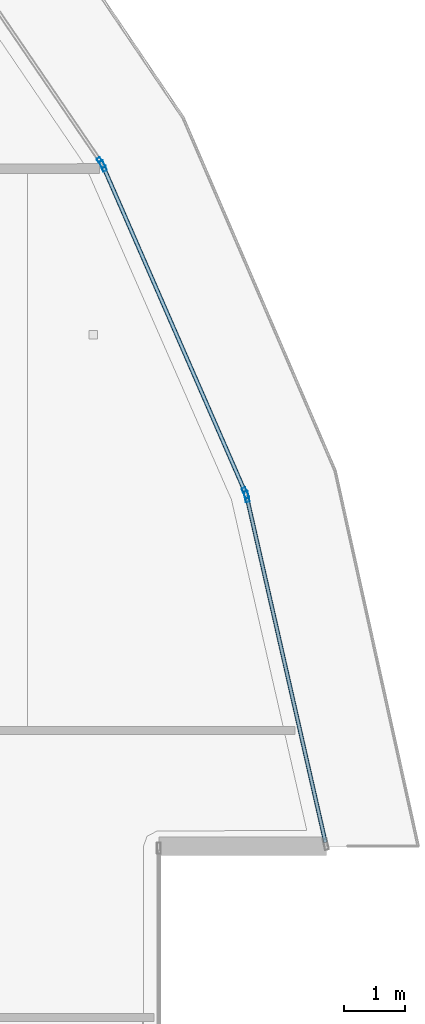
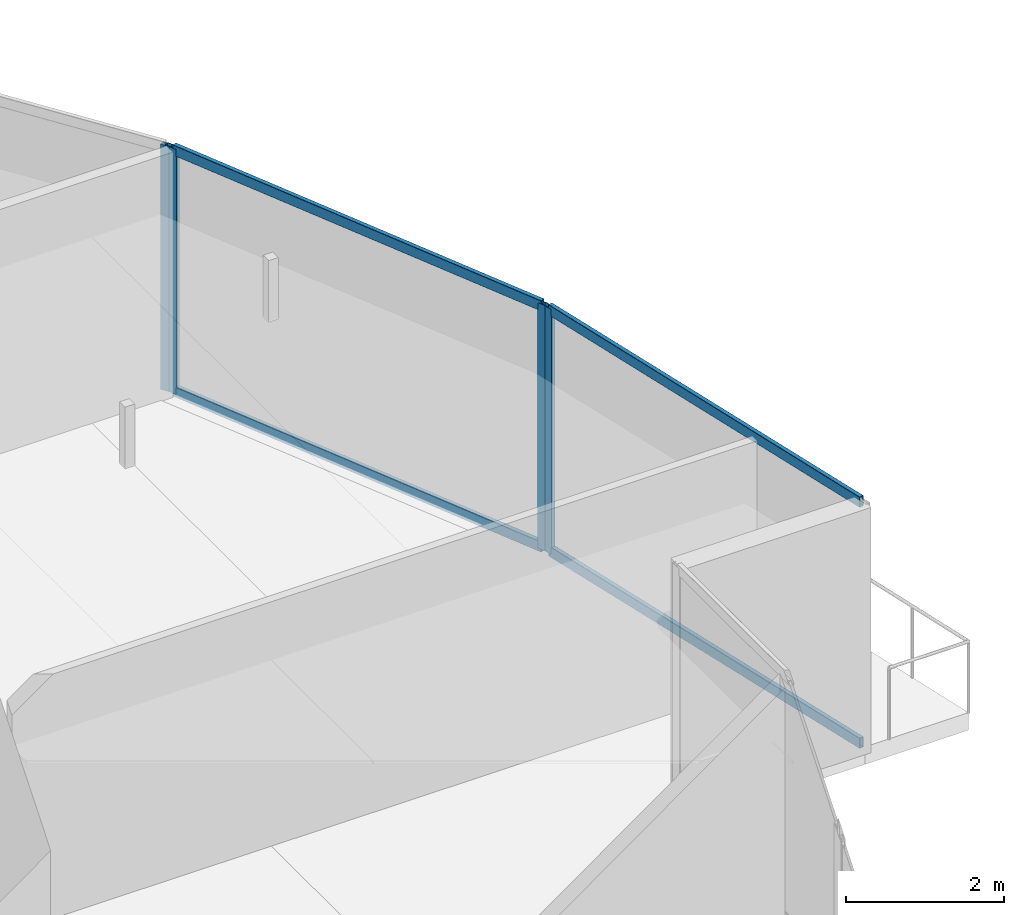
# One storey, part 19 of 33: 8 members, 3 elements without a shape of their own.
"""IFC4 building model written with IfcOpenShell, lengths in metres."""

from ifc_helpers import new_model, si_unit, direction, frame, origin, origin_2d, place, context, subcontext, project, spatial, hollow_rectangle, extrude, material, layer, layer_set, material_profile, profile_set, type_object, element, aggregate, save


model = new_model("IFC4")

# Units and contexts
model_context = context("Model", 3, precision=1e-05, world=origin(), true_north=direction((0.0, 1.0)))
body_context = subcontext(model_context, "Body", "Model", "MODEL_VIEW")
ifc_project = project(units=[si_unit("LENGTHUNIT", "METRE"), si_unit("AREAUNIT", "SQUARE_METRE"), si_unit("VOLUMEUNIT", "CUBIC_METRE"), si_unit("PLANEANGLEUNIT", "RADIAN"), si_unit("MASSUNIT", "GRAM", prefix="KILO")], contexts=[model_context])

# Site, building, storey
site_placement = place(None, origin())
site = spatial("IfcSite", under=ifc_project, at=site_placement, CompositionType="ELEMENT")
building_placement = place(site_placement, origin())
building = spatial("IfcBuilding", under=site, at=building_placement, Name="Qorvath Tower", CompositionType="ELEMENT")
storey_placement = place(building_placement, frame((0.0, 0.0, 237.449951171875)))
storey = spatial("IfcBuildingStorey", under=building, at=storey_placement, Name="L55", CompositionType="ELEMENT", Elevation=237.449951171875)

# Curtain wall, member
ifc_material_1 = material(Name="Anodised aluminium and triple low-E glass", Category="aluminium")
ifc_layer = layer(ifc_material_1, 0.179931640625)
ifc_layer_set = layer_set([ifc_layer], Name="CW-SYS-3")
curtain_wall_type = type_object("IfcCurtainWallType", Name="CW-SYS-3", PredefinedType="NOTDEFINED", material=ifc_layer_set)
curtain_wall_1_placement = place(storey_placement, origin())
curtain_wall_1 = element("IfcCurtainWall", 1, at=curtain_wall_1_placement, inside=storey, type_object=curtain_wall_type, Name="Curtain Wall CW-3 CW-T-L55-11.1", PredefinedType="NOTDEFINED")
ifc_material_2 = material(Name="Anodised aluminium 6063-T6", Category="aluminium")
ifc_material_profile_1 = material_profile(ifc_material_2, hollow_rectangle(XDim=0.06494140625, YDim=0.179931640625, WallThickness=0.00341796875, InnerFilletRadius=0.00341796875, OuterFilletRadius=0.007080078125, at=origin_2d()), Name="CWM 180x65")
ifc_profile_set_1 = profile_set([ifc_material_profile_1], Name="Anodised aluminium 6063-T6")
member_type_1 = type_object("IfcMemberType", Name="CWM-180", PredefinedType="MULLION", material=ifc_profile_set_1)
member_1_placement = place(storey_placement, frame((-1.136962890625, 9.84423828125, 0.0), z_axis=(0.0, 0.0, 1.0), x_axis=(-0.975037173258, -0.222041687, 0.0)))
member_1 = element("IfcMember", 2, at=member_1_placement, type_object=member_type_1, Name="CW-3 mullion 2", PredefinedType="MULLION", context=body_context, shape_type="SweptSolid", body=[
    extrude(hollow_rectangle(XDim=0.06494140625, YDim=0.179931640625, WallThickness=0.00341796875, InnerFilletRadius=0.00341796875, OuterFilletRadius=0.007080078125, at=origin_2d()), origin(), (0.0, 0.0, 1.0), 3.780029296875),
])

# Curtain wall, members
curtain_wall_2_placement = place(storey_placement, origin())
curtain_wall_2 = element("IfcCurtainWall", 3, at=curtain_wall_2_placement, inside=storey, type_object=curtain_wall_type, Name="Curtain Wall CW-3 CW-T-L55-12.1", PredefinedType="NOTDEFINED")
member_2_placement = place(storey_placement, frame((-1.1572265625, 9.90576171875, 0.0), z_axis=(0.0, 0.0, 1.0), x_axis=(-0.916728547594, -0.39951066322, 0.0)))
member_2 = element("IfcMember", 4, at=member_2_placement, type_object=member_type_1, Name="CW-3 mullion 1", PredefinedType="MULLION", context=body_context, shape_type="SweptSolid", body=[
    extrude(hollow_rectangle(XDim=0.06494140625, YDim=0.179931640625, WallThickness=0.00341796875, InnerFilletRadius=0.00341796875, OuterFilletRadius=0.007080078125, at=origin_2d()), origin(), (0.0, 0.0, 1.0), 3.780029296875),
])
member_3_placement = place(storey_placement, frame((-3.491943359375, 15.262939453125, 0.0), z_axis=(0.0, 0.0, 1.0), x_axis=(-0.916728547594, -0.39951066322, 0.0)))
member_3 = element("IfcMember", 5, at=member_3_placement, type_object=member_type_1, Name="CW-3 mullion 2", PredefinedType="MULLION", context=body_context, shape_type="SweptSolid", body=[
    extrude(hollow_rectangle(XDim=0.06494140625, YDim=0.179931640625, WallThickness=0.00341796875, InnerFilletRadius=0.00341796875, OuterFilletRadius=0.007080078125, at=origin_2d()), origin(), (0.0, 0.0, 1.0), 3.780029296875),
])

# Curtain wall, member
curtain_wall_3_placement = place(storey_placement, origin())
curtain_wall_3 = element("IfcCurtainWall", 6, at=curtain_wall_3_placement, inside=storey, type_object=curtain_wall_type, Name="Curtain Wall CW-3 CW-T-L55-13.1", PredefinedType="NOTDEFINED")
member_4_placement = place(storey_placement, frame((-3.523193359375, 15.319580078125, 0.0), z_axis=(0.0, 0.0, 1.0), x_axis=(-0.826473596685, -0.562975482577, 0.0)))
member_4 = element("IfcMember", 7, at=member_4_placement, type_object=member_type_1, Name="CW-3 mullion 1", PredefinedType="MULLION", context=body_context, shape_type="SweptSolid", body=[
    extrude(hollow_rectangle(XDim=0.06494140625, YDim=0.179931640625, WallThickness=0.00341796875, InnerFilletRadius=0.00341796875, OuterFilletRadius=0.007080078125, at=origin_2d()), origin(), (0.0, 0.0, 1.0), 3.780029296875),
])
aggregate(curtain_wall_3, [member_4])

# Member
ifc_material_3 = material(Name="Anodised aluminium 6063-T6", Category="aluminium")
ifc_material_profile_2 = material_profile(ifc_material_3, hollow_rectangle(XDim=0.06494140625, YDim=0.159912109375, WallThickness=0.00341796875, InnerFilletRadius=0.00341796875, OuterFilletRadius=0.007080078125, at=origin_2d()), Name="CWT 160x65")
ifc_profile_set_2 = profile_set([ifc_material_profile_2], Name="Anodised aluminium 6063-T6")
member_type_2 = type_object("IfcMemberType", Name="CWT-160", PredefinedType="USERDEFINED", material=ifc_profile_set_2)
member_5_placement = place(storey_placement, frame((0.1533203125, 4.177978515625, 0.032470703125), z_axis=(-0.22204470413, 0.975036486173, 0.0), x_axis=(-0.975036486173, -0.22204470413, 0.0)))
member_5 = element("IfcMember", 8, at=member_5_placement, type_object=member_type_2, Name="CW-3 transom 1.1", ObjectType="TRANSOM", PredefinedType="USERDEFINED", context=body_context, shape_type="SweptSolid", body=[
    extrude(hollow_rectangle(XDim=0.06494140625, YDim=0.159912109375, WallThickness=0.00341796875, InnerFilletRadius=0.00341796875, OuterFilletRadius=0.007080078125, at=origin_2d()), origin(), (0.0, 0.0, 1.0), 5.779052734375),
])

member_6_placement = place(storey_placement, frame((0.1533203125, 4.177978515625, 3.74755859375), z_axis=(-0.22204470413, 0.975036486173, 0.0), x_axis=(-0.975036486173, -0.22204470413, 0.0)))
member_6 = element("IfcMember", 9, at=member_6_placement, type_object=member_type_2, Name="CW-3 transom 1.2", ObjectType="TRANSOM", PredefinedType="USERDEFINED", context=body_context, shape_type="SweptSolid", body=[
    extrude(hollow_rectangle(XDim=0.06494140625, YDim=0.159912109375, WallThickness=0.00341796875, InnerFilletRadius=0.00341796875, OuterFilletRadius=0.007080078125, at=origin_2d()), origin(), (0.0, 0.0, 1.0), 5.779052734375),
])

aggregate(curtain_wall_1, [member_1, member_5, member_6])

member_7_placement = place(storey_placement, frame((-1.170166015625, 9.935546875, 0.032470703125), z_axis=(-0.39953080201, 0.916719770838, 0.0), x_axis=(-0.916719770838, -0.39953080201, 0.0)))
member_7 = element("IfcMember", 10, at=member_7_placement, type_object=member_type_2, Name="CW-3 transom 1.1", ObjectType="TRANSOM", PredefinedType="USERDEFINED", context=body_context, shape_type="SweptSolid", body=[
    extrude(hollow_rectangle(XDim=0.06494140625, YDim=0.159912109375, WallThickness=0.00341796875, InnerFilletRadius=0.00341796875, OuterFilletRadius=0.007080078125, at=origin_2d()), origin(), (0.0, 0.0, 1.0), 5.77880859375),
])

member_8_placement = place(storey_placement, frame((-1.170166015625, 9.935546875, 3.74755859375), z_axis=(-0.39953080201, 0.916719770838, 0.0), x_axis=(-0.916719770838, -0.39953080201, 0.0)))
member_8 = element("IfcMember", 11, at=member_8_placement, type_object=member_type_2, Name="CW-3 transom 1.2", ObjectType="TRANSOM", PredefinedType="USERDEFINED", context=body_context, shape_type="SweptSolid", body=[
    extrude(hollow_rectangle(XDim=0.06494140625, YDim=0.159912109375, WallThickness=0.00341796875, InnerFilletRadius=0.00341796875, OuterFilletRadius=0.007080078125, at=origin_2d()), origin(), (0.0, 0.0, 1.0), 5.77880859375),
])

aggregate(curtain_wall_2, [member_2, member_3, member_7, member_8])

save(model, "model.ifc")
